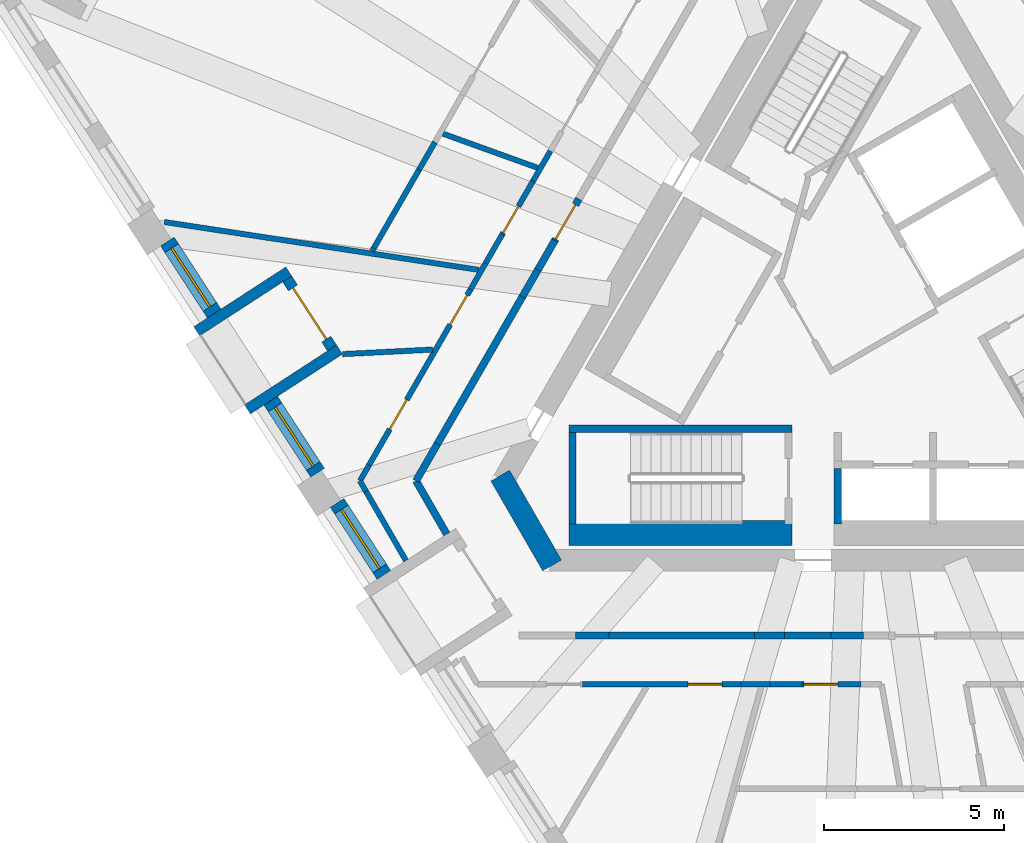
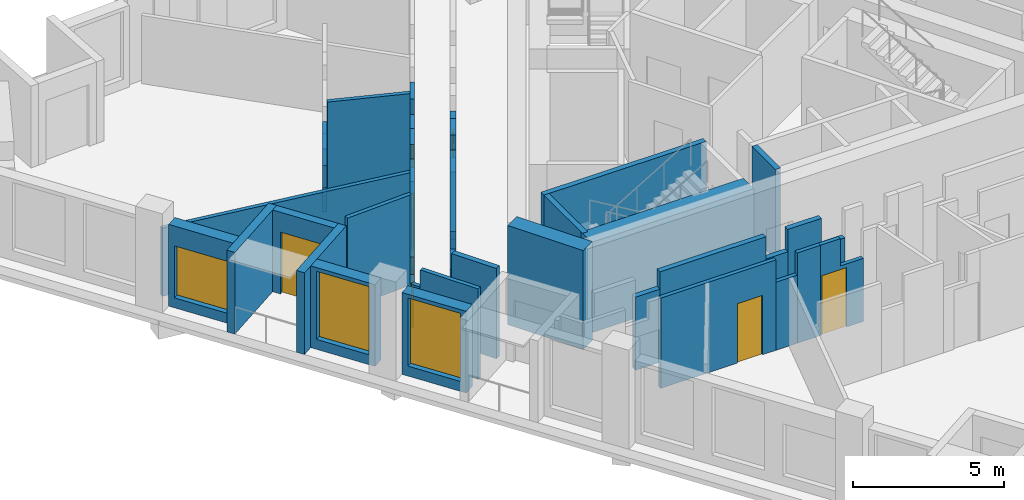
# One storey, part 3 of 12: 40 walls, 7 doors, 3 windows, 10 openings.
"""IFC4 building model written with IfcOpenShell, lengths in metres."""

from ifc_helpers import new_model, si_unit, direction, frame, frame_2d, origin, place, context, subcontext, project, spatial, polyline, rectangle, outline, extrude, material, layer, layer_set, type_object, element, fill, save


model = new_model("IFC4")

# Units and contexts
model_context = context("Model", 3, precision=1e-05, world=origin(), true_north=direction((0.0, 1.0)))
body_context = subcontext(model_context, "Body", "Model", "MODEL_VIEW")
ifc_project = project(units=[si_unit("LENGTHUNIT", "METRE"), si_unit("AREAUNIT", "SQUARE_METRE"), si_unit("VOLUMEUNIT", "CUBIC_METRE"), si_unit("PLANEANGLEUNIT", "RADIAN"), si_unit("MASSUNIT", "GRAM", prefix="KILO")], contexts=[model_context])

# Site, building, storey
site_placement = place(None, origin())
site = spatial("IfcSite", under=ifc_project, at=site_placement, CompositionType="ELEMENT")
building_placement = place(site_placement, origin())
building = spatial("IfcBuilding", under=site, at=building_placement, Name="Tramontana Tower", CompositionType="ELEMENT")
storey_placement = place(building_placement, frame((0.0, 0.0, 278.39990234375)))
storey = spatial("IfcBuildingStorey", under=building, at=storey_placement, Name="L65", CompositionType="ELEMENT", Elevation=278.39990234375)

# Walls
ifc_material_1 = material(Name="Concrete 70 MPa", Category="concrete")
ifc_layer_1 = layer(ifc_material_1, 0.60009765625)
ifc_layer_set_1 = layer_set([ifc_layer_1], Name="Core wall 600 70 MPa")
wall_type_1 = type_object("IfcWallType", Name="Core wall 600 70 MPa", PredefinedType="SHEAR", material=ifc_layer_set_1)
wall_1_placement = place(storey_placement, frame((-9.98828125, -4.10009765625, 0.0), z_axis=(0.0, 0.0, 1.0), x_axis=(0.499995765644, -0.866027848477, 0.0)))
element("IfcWall", 1, at=wall_1_placement, inside=storey, type_object=wall_type_1, Name="Core wall C2 L65", PredefinedType="SHEAR", context=body_context, shape_type="SweptSolid", body=[
    extrude(rectangle(XDim=2.88671875, YDim=0.60009765625, at=frame_2d((1.443359375, 0.0))), origin(), (0.0, 0.0, 1.0), 4.0),
])
ifc_material_2 = material(Name="Blockwork", Category="masonry")
ifc_layer_2 = layer(ifc_material_2, 0.199951171875)
ifc_layer_set_2 = layer_set([ifc_layer_2], Name="ENTRY WALL 200")
wall_type_2 = type_object("IfcWallType", Name="ENTRY WALL 200", PredefinedType="SOLIDWALL", material=ifc_layer_set_2)
wall_2_placement = place(storey_placement, frame((0.104248046875, -8.550048828125, 0.0), z_axis=(0.0, 0.0, 1.0), x_axis=(-1.0, 0.0, 0.0)))
element("IfcWall", 2, at=wall_2_placement, inside=storey, type_object=wall_type_2, Name="Wall v70-ew1-6", PredefinedType="SOLIDWALL", context=body_context, shape_type="SweptSolid", body=[
    extrude(rectangle(XDim=0.900634765625, YDim=0.199951171875, at=frame_2d((0.4501953125, 0.0))), origin(), (0.0, 0.0, 1.0), 2.550048828125),
])
wall_3_placement = place(storey_placement, frame((-0.79638671875, -8.550048828125, 0.0), z_axis=(0.0, 0.0, 1.0), x_axis=(-1.0, 0.0, 0.0)))
element("IfcWall", 3, at=wall_3_placement, inside=storey, type_object=wall_type_2, Name="Wall v70-ew1-7", PredefinedType="SOLIDWALL", context=body_context, shape_type="SweptSolid", body=[
    extrude(rectangle(XDim=1.2861328125, YDim=0.199951171875, at=frame_2d((0.64306640625, 0.0))), origin(), (0.0, 0.0, 1.0), 3.650146484375),
])
wall_4_placement = place(storey_placement, frame((-2.08251953125, -8.550048828125, 0.0), z_axis=(0.0, 0.0, 1.0), x_axis=(-1.0, 0.0, 0.0)))
element("IfcWall", 4, at=wall_4_placement, inside=storey, type_object=wall_type_2, Name="Wall v70-ew1-8", PredefinedType="SOLIDWALL", context=body_context, shape_type="SweptSolid", body=[
    extrude(rectangle(XDim=0.83349609375, YDim=0.199951171875, at=frame_2d((0.416748046875, 0.0))), origin(), (0.0, 0.0, 1.0), 2.75),
])
wall_5_placement = place(storey_placement, frame((-2.916015625, -8.550048828125, 0.0), z_axis=(0.0, 0.0, 1.0), x_axis=(-1.0, 0.0, 0.0)))
element("IfcWall", 5, at=wall_5_placement, inside=storey, type_object=wall_type_2, Name="Wall v70-ew1-9", PredefinedType="SOLIDWALL", context=body_context, shape_type="SweptSolid", body=[
    extrude(rectangle(XDim=4.052490234375, YDim=0.199951171875, at=frame_2d((2.0263671875, 0.0))), origin(), (0.0, 0.0, 1.0), 3.650146484375),
])
wall_6_placement = place(storey_placement, frame((-6.968505859375, -8.550048828125, 0.0), z_axis=(0.0, 0.0, 1.0), x_axis=(-1.0, 0.0, 0.0)))
element("IfcWall", 6, at=wall_6_placement, inside=storey, type_object=wall_type_2, Name="Wall v70-ew1-10", PredefinedType="SOLIDWALL", context=body_context, shape_type="SweptSolid", body=[
    extrude(rectangle(XDim=0.927490234375, YDim=0.199951171875, at=frame_2d((0.4638671875, 0.0))), origin(), (0.0, 0.0, 1.0), 2.9501953125),
])
wall_7_placement = place(storey_placement, frame((-11.472412109375, -5.729248046875, 0.0), z_axis=(0.0, 0.0, 1.0), x_axis=(-0.499982281718, 0.866035633198, 0.0)))
element("IfcWall", 7, at=wall_7_placement, inside=storey, type_object=wall_type_2, Name="Wall v70-ew2", PredefinedType="SOLIDWALL", context=body_context, shape_type="SweptSolid", body=[
    extrude(rectangle(XDim=1.7080078125, YDim=0.199951171875, at=frame_2d((0.85400390625, 0.0))), origin(), (0.0, 0.0, 1.0), 3.650146484375),
])
wall_8_placement = place(storey_placement, frame((-12.326416015625, -4.25, 0.0), z_axis=(0.0, 0.0, 1.0), x_axis=(0.499983247966, 0.86603507536, 0.0)))
element("IfcWall", 8, at=wall_8_placement, inside=storey, type_object=wall_type_2, Name="Wall v70-ew3-0", PredefinedType="SOLIDWALL", context=body_context, shape_type="SweptSolid", body=[
    extrude(rectangle(XDim=1.1884765625, YDim=0.199951171875, at=frame_2d((0.59423828125, 0.0))), origin(), (0.0, 0.0, 1.0), 2.9501953125),
])
wall_9_placement = place(storey_placement, frame((-11.732177734375, -3.220703125, 0.0), z_axis=(0.0, 0.0, 1.0), x_axis=(0.500007683529, 0.866020967652, 0.0)))
element("IfcWall", 9, at=wall_9_placement, inside=storey, type_object=wall_type_2, Name="Wall v70-ew3-1", PredefinedType="SOLIDWALL", context=body_context, shape_type="SweptSolid", body=[
    extrude(rectangle(XDim=4.71728515625, YDim=0.199951171875, at=frame_2d((2.358642578125, 0.0))), origin(), (0.0, 0.0, 1.0), 3.650146484375),
])
wall_10_placement = place(storey_placement, frame((-9.37353515625, 0.864501953125, 0.0), z_axis=(0.0, 0.0, 1.0), x_axis=(0.500056482814, 0.86599279096, 0.0)))
element("IfcWall", 10, at=wall_10_placement, inside=storey, type_object=wall_type_2, Name="Wall v70-ew3-2", PredefinedType="SOLIDWALL", context=body_context, shape_type="SweptSolid", body=[
    extrude(rectangle(XDim=0.86474609375, YDim=0.199951171875, at=frame_2d((0.432373046875, 0.0))), origin(), (0.0, 0.0, 1.0), 2.75),
])
wall_11_placement = place(storey_placement, frame((-8.941162109375, 1.61328125, 0.0), z_axis=(0.0, 0.0, 1.0), x_axis=(0.499857464265, 0.866107681191, 0.0)))
element("IfcWall", 11, at=wall_11_placement, inside=storey, type_object=wall_type_2, Name="Wall v70-ew3-3", PredefinedType="SOLIDWALL", context=body_context, shape_type="SweptSolid", body=[
    extrude(rectangle(XDim=0.939208984375, YDim=0.199951171875, at=frame_2d((0.4697265625, 0.0))), origin(), (0.0, 0.0, 1.0), 3.650146484375),
])

# Wall, opening, door
wall_12_placement = place(storey_placement, frame((-8.4716796875, 2.4267578125, 0.0), z_axis=(0.0, 0.0, 1.0), x_axis=(0.500022371132, 0.86601248742, 0.0)))
wall_12 = element("IfcWall", 12, at=wall_12_placement, inside=storey, type_object=wall_type_2, Name="Wall v70-ew3-4", PredefinedType="SOLIDWALL", context=body_context, shape_type="SweptSolid", body=[
    extrude(outline(polyline([(0.0, 0.0), (1.3388671875, 0.0), (1.3388671875, 2.550048828125), (0.429443359375, 2.550048828125), (0.429443359375, 3.650146484375), (0.0, 3.650146484375), (0.0, 0.0)])), frame((0.0, 0.10009765625, 0.0), z_axis=(0.0, -1.0, 0.0), x_axis=(1.0, 0.0, 0.0)), (0.0, 0.0, 1.0), 0.199951171875),
])
opening_1_placement = place(wall_12_placement, frame((0.050048828125, 0.0, 0.0)))
opening_1 = element("IfcOpeningElement", 13, at=opening_1_placement, cuts=wall_12, Name="Opening B7A-21", PredefinedType="OPENING", context=body_context, shape_type="SweptSolid", body=[
    extrude(rectangle(XDim=1.10009765625, YDim=2.39990234375, at=frame_2d((0.550048828125, 1.199951171875))), frame((0.0, 0.10986328125, 0.0), z_axis=(0.0, -1.0, 0.0), x_axis=(1.0, 0.0, 0.0)), (0.0, 0.0, 1.0), 0.219970703125),
])
ifc_material_3 = material(Name="Painted timber", Category="wood")
door_type_1 = type_object("IfcDoorType", Name="DOOR ENTRY 1100", OperationType="SINGLE_SWING_LEFT", PredefinedType="DOOR", material=ifc_material_3)
door_1_placement = place(opening_1_placement, origin())
door_1 = element("IfcDoor", 14, at=door_1_placement, inside=storey, type_object=door_type_1, Name="Door B7A-21", OperationType="SINGLE_SWING_LEFT", OverallHeight=2.39990234375, OverallWidth=1.10009765625, PredefinedType="DOOR", context=body_context, shape_type="SweptSolid", body=[
    extrude(rectangle(XDim=1.10009765625, YDim=2.39990234375, at=frame_2d((0.550048828125, 1.199951171875))), frame((0.0, 0.02490234375, 0.0), z_axis=(0.0, -1.0, 0.0), x_axis=(1.0, 0.0, 0.0)), (0.0, 0.0, 1.0), 0.050048828125),
])
fill(opening_1, door_1)

# Wall, opening, window
ifc_material_4 = material(Name="Precast concrete 60 MPa", Category="concrete")
ifc_layer_3 = layer(ifc_material_4, 0.449951171875)
ifc_layer_set_3 = layer_set([ifc_layer_3], Name="Precast concrete 60 MPa, 450 mm")
wall_type_3 = type_object("IfcWallType", Name="EW1 Stone-faced precast wall 450", PredefinedType="SOLIDWALL", material=ifc_layer_set_3)
wall_13_placement = place(storey_placement, frame((-19.236083984375, 2.401123046875, 0.0), z_axis=(0.0, 0.0, 1.0), x_axis=(0.544675520966, -0.838646872563, 0.0)))
wall_13 = element("IfcWall", 15, at=wall_13_placement, inside=storey, type_object=wall_type_3, Name="External wall L65 face 0 bay 2", PredefinedType="SOLIDWALL", context=body_context, shape_type="SweptSolid", body=[
    extrude(rectangle(XDim=2.38671875, YDim=0.449951171875, at=frame_2d((1.193359375, 0.0))), origin(), (0.0, 0.0, 1.0), 3.300048828125),
])
opening_2_placement = place(wall_13_placement, frame((0.21826171875, 0.0, 0.39990234375)))
opening_2 = element("IfcOpeningElement", 16, at=opening_2_placement, cuts=wall_13, Name="Opening M3L", PredefinedType="OPENING", context=body_context, shape_type="SweptSolid", body=[
    extrude(rectangle(XDim=1.949951171875, YDim=2.10009765625, at=frame_2d((0.97509765625, 1.050048828125))), frame((0.0, 0.23486328125, 0.0), z_axis=(0.0, -1.0, 0.0), x_axis=(1.0, 0.0, 0.0)), (0.0, 0.0, 1.0), 0.469970703125),
])
ifc_material_5 = material(Name="Aluminum frame, double glazing unit", Category="aluminium")
window_type_1 = type_object("IfcWindowType", Name="M3L Window 1.95 x 2.1", PartitioningType="SINGLE_PANEL", PredefinedType="WINDOW", material=ifc_material_5)
window_1_placement = place(opening_2_placement, origin())
window_1 = element("IfcWindow", 17, at=window_1_placement, inside=storey, type_object=window_type_1, Name="Window M3L L65 face 0 module 4", OverallHeight=2.10009765625, OverallWidth=1.949951171875, PartitioningType="SINGLE_PANEL", PredefinedType="WINDOW", context=body_context, shape_type="SweptSolid", body=[
    extrude(rectangle(XDim=1.949951171875, YDim=2.10009765625, at=frame_2d((0.97509765625, 1.050048828125))), frame((0.0, 0.030029296875, 0.0), z_axis=(0.0, -1.0, 0.0), x_axis=(1.0, 0.0, 0.0)), (0.0, 0.0, 1.0), 0.06005859375),
])
fill(opening_2, window_1)

wall_14_placement = place(storey_placement, frame((-16.36376953125, -2.021728515625, 0.0), z_axis=(0.0, 0.0, 1.0), x_axis=(0.544603573947, -0.838693595566, 0.0)))
wall_14 = element("IfcWall", 18, at=wall_14_placement, inside=storey, type_object=wall_type_3, Name="External wall L65 face 0 bay 2", PredefinedType="SOLIDWALL", context=body_context, shape_type="SweptSolid", body=[
    extrude(rectangle(XDim=2.38671875, YDim=0.449951171875, at=frame_2d((1.193359375, 0.0))), origin(), (0.0, 0.0, 1.0), 3.300048828125),
])
opening_3_placement = place(wall_14_placement, frame((0.21826171875, 0.0, 0.39990234375)))
opening_3 = element("IfcOpeningElement", 19, at=opening_3_placement, cuts=wall_14, Name="Opening M3", PredefinedType="OPENING", context=body_context, shape_type="SweptSolid", body=[
    extrude(rectangle(XDim=1.949951171875, YDim=2.75, at=frame_2d((0.97509765625, 1.375))), frame((0.0, 0.23486328125, 0.0), z_axis=(0.0, -1.0, 0.0), x_axis=(1.0, 0.0, 0.0)), (0.0, 0.0, 1.0), 0.469970703125),
])
ifc_material_6 = material(Name="Aluminum frame, double glazing unit", Category="aluminium")
window_type_2 = type_object("IfcWindowType", Name="M3 Window 1.95 x 2.75", PartitioningType="SINGLE_PANEL", PredefinedType="WINDOW", material=ifc_material_6)
window_2_placement = place(opening_3_placement, origin())
window_2 = element("IfcWindow", 20, at=window_2_placement, inside=storey, type_object=window_type_2, Name="Window M3 L65 face 0 module 6", OverallHeight=2.75, OverallWidth=1.949951171875, PartitioningType="SINGLE_PANEL", PredefinedType="WINDOW", context=body_context, shape_type="SweptSolid", body=[
    extrude(rectangle(XDim=1.949951171875, YDim=2.75, at=frame_2d((0.97509765625, 1.375))), frame((0.0, 0.030029296875, 0.0), z_axis=(0.0, -1.0, 0.0), x_axis=(1.0, 0.0, 0.0)), (0.0, 0.0, 1.0), 0.06005859375),
])
fill(opening_3, window_2)

wall_15_placement = place(storey_placement, frame((-14.519287109375, -4.862060546875, 0.0), z_axis=(0.0, 0.0, 1.0), x_axis=(0.544603573947, -0.838693595566, 0.0)))
wall_15 = element("IfcWall", 21, at=wall_15_placement, inside=storey, type_object=wall_type_3, Name="External wall L65 face 0 bay 3", PredefinedType="SOLIDWALL", context=body_context, shape_type="SweptSolid", body=[
    extrude(rectangle(XDim=2.38671875, YDim=0.449951171875, at=frame_2d((1.193359375, 0.0))), origin(), (0.0, 0.0, 1.0), 3.300048828125),
])
opening_4_placement = place(wall_15_placement, frame((0.21826171875, 0.0, 0.39990234375)))
opening_4 = element("IfcOpeningElement", 22, at=opening_4_placement, cuts=wall_15, Name="Opening M3", PredefinedType="OPENING", context=body_context, shape_type="SweptSolid", body=[
    extrude(rectangle(XDim=1.949951171875, YDim=2.75, at=frame_2d((0.97509765625, 1.375))), frame((0.0, 0.23486328125, 0.0), z_axis=(0.0, -1.0, 0.0), x_axis=(1.0, 0.0, 0.0)), (0.0, 0.0, 1.0), 0.469970703125),
])
window_3_placement = place(opening_4_placement, origin())
window_3 = element("IfcWindow", 23, at=window_3_placement, inside=storey, type_object=window_type_2, Name="Window M3 L65 face 0 module 7", OverallHeight=2.75, OverallWidth=1.949951171875, PartitioningType="SINGLE_PANEL", PredefinedType="WINDOW", context=body_context, shape_type="SweptSolid", body=[
    extrude(rectangle(XDim=1.949951171875, YDim=2.75, at=frame_2d((0.97509765625, 1.375))), frame((0.0, 0.030029296875, 0.0), z_axis=(0.0, -1.0, 0.0), x_axis=(1.0, 0.0, 0.0)), (0.0, 0.0, 1.0), 0.06005859375),
])
fill(opening_4, window_3)

# Wall, opening, door
ifc_material_7 = material(Name="Precast concrete 60 MPa", Category="concrete")
ifc_layer_4 = layer(ifc_material_7, 0.300048828125)
ifc_layer_set_4 = layer_set([ifc_layer_4], Name="LW1 Stone-faced loggia wall 300")
wall_type_4 = type_object("IfcWallType", Name="LW1 Stone-faced loggia wall 300", PredefinedType="SOLIDWALL", material=ifc_layer_set_4)
wall_16_placement = place(storey_placement, frame((-15.90673828125, 1.359619140625, 0.0), z_axis=(0.0, 0.0, 1.0), x_axis=(0.544658103125, -0.838658184662, 0.0)))
wall_16 = element("IfcWall", 24, at=wall_16_placement, inside=storey, type_object=wall_type_4, Name="Loggia wall L65 G7S0.4", PredefinedType="SOLIDWALL", context=body_context, shape_type="SweptSolid", body=[
    extrude(rectangle(XDim=2.286865234375, YDim=0.300048828125, at=frame_2d((1.1435546875, 0.0))), origin(), (0.0, 0.0, 1.0), 3.300048828125),
])
opening_5_placement = place(wall_16_placement, frame((0.29345703125, 0.0, 0.0)))
opening_5 = element("IfcOpeningElement", 25, at=opening_5_placement, cuts=wall_16, Name="Opening BD-7S0-04", PredefinedType="OPENING", context=body_context, shape_type="SweptSolid", body=[
    extrude(rectangle(XDim=1.699951171875, YDim=2.5, at=frame_2d((0.85009765625, 1.25))), frame((0.0, 0.159912109375, 0.0), z_axis=(0.0, -1.0, 0.0), x_axis=(1.0, 0.0, 0.0)), (0.0, 0.0, 1.0), 0.320068359375),
])
ifc_material_8 = material(Name="Aluminum frame, double glazing unit", Category="aluminium")
door_type_2 = type_object("IfcDoorType", Name="BD3 Sliding door 1.7 x 2.5", OperationType="SLIDING_TO_LEFT", PredefinedType="DOOR", material=ifc_material_8)
door_2_placement = place(opening_5_placement, origin())
door_2 = element("IfcDoor", 26, at=door_2_placement, inside=storey, type_object=door_type_2, Name="Loggia door L65 G7S0.4", OperationType="SLIDING_TO_LEFT", OverallHeight=2.5, OverallWidth=1.699951171875, PredefinedType="DOOR", context=body_context, shape_type="SweptSolid", body=[
    extrude(rectangle(XDim=1.699951171875, YDim=2.5, at=frame_2d((0.85009765625, 1.25))), frame((0.0, 0.02490234375, 0.0), z_axis=(0.0, -1.0, 0.0), x_axis=(1.0, 0.0, 0.0)), (0.0, 0.0, 1.0), 0.050048828125),
])
fill(opening_5, door_2)

# Walls
for number, where, z_axis, x_axis, name in (
    (27, (-18.42041015625, -0.093994140625, 0.0), (0.0, 0.0, 1.0), (0.838664840319, 0.544647854685, 0.0), "Loggia return L65 G7S0.4a"),
    (28, (-17.01171875, -2.263427734375, 0.0), (0.0, 0.0, 1.0), (0.838664840319, 0.544647854685, 0.0), "Loggia return L65 G7S0.4b"),
):
    element("IfcWall", number, at=place(storey_placement, frame(where, z_axis=z_axis, x_axis=x_axis)), inside=storey, type_object=wall_type_4, Name=name, PredefinedType="SOLIDWALL", context=body_context, shape_type="SweptSolid", body=[
        extrude(rectangle(XDim=3.0498046875, YDim=0.300048828125, at=frame_2d((1.52490234375, 0.0))), origin(), (0.0, 0.0, 1.0), 3.300048828125),
    ])
ifc_material_9 = material(Name="Gypsum board partition")
ifc_layer_5 = layer(ifc_material_9, 0.14990234375)
ifc_layer_set_5 = layer_set([ifc_layer_5], Name="PARTITION 150")
wall_type_5 = type_object("IfcWallType", Name="PARTITION 150", PredefinedType="PARTITIONING", material=ifc_layer_set_5)
wall_17_placement = place(storey_placement, frame((-13.88525390625, -4.25, 0.0), z_axis=(0.0, 0.0, 1.0), x_axis=(0.499904868165, 0.866080321209, 0.0)))
element("IfcWall", 29, at=wall_17_placement, inside=storey, type_object=wall_type_5, Name="Wall v70-pw00-0", PredefinedType="PARTITIONING", context=body_context, shape_type="SweptSolid", body=[
    extrude(rectangle(XDim=0.501953125, YDim=0.14990234375, at=frame_2d((0.2509765625, 0.0))), origin(), (0.0, 0.0, 1.0), 2.9501953125),
])

# Wall, openings, doors
wall_18_placement = place(storey_placement, frame((-13.63427734375, -3.815185546875, 0.0), z_axis=(0.0, 0.0, 1.0), x_axis=(0.500005829693, 0.866022037983, 0.0)))
wall_18 = element("IfcWall", 30, at=wall_18_placement, inside=storey, type_object=wall_type_5, Name="Wall v70-pw00-1", PredefinedType="PARTITIONING", context=body_context, shape_type="SweptSolid", body=[
    extrude(rectangle(XDim=5.64306640625, YDim=0.14990234375, at=frame_2d((2.821533203125, 0.0))), origin(), (0.0, 0.0, 1.0), 3.650146484375),
])
opening_6_placement = place(wall_18_placement, frame((4.509765625, 0.0, 0.0)))
opening_6 = element("IfcOpeningElement", 31, at=opening_6_placement, cuts=wall_18, Name="Opening B7A-05", PredefinedType="OPENING", context=body_context, shape_type="SweptSolid", body=[
    extrude(rectangle(XDim=0.949951171875, YDim=2.39990234375, at=frame_2d((0.47509765625, 1.199951171875))), frame((0.0, 0.0849609375, 0.0), z_axis=(0.0, -1.0, 0.0), x_axis=(1.0, 0.0, 0.0)), (0.0, 0.0, 1.0), 0.169921875),
])
opening_7_placement = place(wall_18_placement, frame((1.15380859375, 0.0, 0.0)))
opening_7 = element("IfcOpeningElement", 32, at=opening_7_placement, cuts=wall_18, Name="Opening B7A-06", PredefinedType="OPENING", context=body_context, shape_type="SweptSolid", body=[
    extrude(rectangle(XDim=0.949951171875, YDim=2.39990234375, at=frame_2d((0.47509765625, 1.199951171875))), frame((0.0, 0.0849609375, 0.0), z_axis=(0.0, -1.0, 0.0), x_axis=(1.0, 0.0, 0.0)), (0.0, 0.0, 1.0), 0.169921875),
])
ifc_material_10 = material(Name="Painted timber", Category="wood")
door_type_3 = type_object("IfcDoorType", Name="DOOR ROOM 950", OperationType="SINGLE_SWING_LEFT", PredefinedType="DOOR", material=ifc_material_10)
door_3_placement = place(opening_6_placement, origin())
door_3 = element("IfcDoor", 33, at=door_3_placement, inside=storey, type_object=door_type_3, Name="Door B7A-05", OperationType="SINGLE_SWING_LEFT", OverallHeight=2.39990234375, OverallWidth=0.949951171875, PredefinedType="DOOR", context=body_context, shape_type="SweptSolid", body=[
    extrude(rectangle(XDim=0.949951171875, YDim=2.39990234375, at=frame_2d((0.47509765625, 1.199951171875))), frame((0.0, 0.02490234375, 0.0), z_axis=(0.0, -1.0, 0.0), x_axis=(1.0, 0.0, 0.0)), (0.0, 0.0, 1.0), 0.050048828125),
])
fill(opening_6, door_3)
door_4_placement = place(opening_7_placement, origin())
door_4 = element("IfcDoor", 34, at=door_4_placement, inside=storey, type_object=door_type_3, Name="Door B7A-06", OperationType="SINGLE_SWING_RIGHT", OverallHeight=2.39990234375, OverallWidth=0.949951171875, PredefinedType="DOOR", context=body_context, shape_type="SweptSolid", body=[
    extrude(rectangle(XDim=0.949951171875, YDim=2.39990234375, at=frame_2d((0.47509765625, 1.199951171875))), frame((0.0, 0.02490234375, 0.0), z_axis=(0.0, -1.0, 0.0), x_axis=(1.0, 0.0, 0.0)), (0.0, 0.0, 1.0), 0.050048828125),
])
fill(opening_7, door_4)

# Walls
wall_19_placement = place(storey_placement, frame((-10.812744140625, 1.07177734375, 0.0), z_axis=(0.0, 0.0, 1.0), x_axis=(0.500025132165, 0.866010893236, 0.0)))
element("IfcWall", 35, at=wall_19_placement, inside=storey, type_object=wall_type_5, Name="Wall v70-pw00-2", PredefinedType="PARTITIONING", context=body_context, shape_type="SweptSolid", body=[
    extrude(rectangle(XDim=0.837890625, YDim=0.14990234375, at=frame_2d((0.4189453125, 0.0))), origin(), (0.0, 0.0, 1.0), 2.75),
])
wall_20_placement = place(storey_placement, frame((-10.393798828125, 1.79736328125, 0.0), z_axis=(0.0, 0.0, 1.0), x_axis=(0.499996383721, 0.866027491634, 0.0)))
element("IfcWall", 36, at=wall_20_placement, inside=storey, type_object=wall_type_5, Name="Wall v70-pw00-3", PredefinedType="PARTITIONING", context=body_context, shape_type="SweptSolid", body=[
    extrude(rectangle(XDim=0.92578125, YDim=0.14990234375, at=frame_2d((0.462890625, 0.0))), origin(), (0.0, 0.0, 1.0), 3.650146484375),
])

# Wall, opening, door
wall_21_placement = place(storey_placement, frame((-9.930908203125, 2.59912109375, 0.0), z_axis=(0.0, 0.0, 1.0), x_axis=(0.500056273262, 0.865992911964, 0.0)))
wall_21 = element("IfcWall", 37, at=wall_21_placement, inside=storey, type_object=wall_type_5, Name="Wall v70-pw00-4", PredefinedType="PARTITIONING", context=body_context, shape_type="SweptSolid", body=[
    extrude(outline(polyline([(0.0, 0.0), (1.709228515625, 0.0), (1.709228515625, 2.550048828125), (0.824951171875, 2.550048828125), (0.824951171875, 3.650146484375), (0.0, 3.650146484375), (0.0, 0.0)])), frame((0.0, 0.074951171875, 0.0), z_axis=(0.0, -1.0, 0.0), x_axis=(1.0, 0.0, 0.0)), (0.0, 0.0, 1.0), 0.14990234375),
])
opening_8_placement = place(wall_21_placement, frame((0.050048828125, 0.0, 0.0)))
opening_8 = element("IfcOpeningElement", 38, at=opening_8_placement, cuts=wall_21, Name="Opening B7A-02", PredefinedType="OPENING", context=body_context, shape_type="SweptSolid", body=[
    extrude(rectangle(XDim=0.85009765625, YDim=2.39990234375, at=frame_2d((0.425048828125, 1.199951171875))), frame((0.0, 0.0849609375, 0.0), z_axis=(0.0, -1.0, 0.0), x_axis=(1.0, 0.0, 0.0)), (0.0, 0.0, 1.0), 0.169921875),
])
ifc_material_11 = material(Name="Painted timber", Category="wood")
door_type_4 = type_object("IfcDoorType", Name="DOOR BATH 850", OperationType="SINGLE_SWING_LEFT", PredefinedType="DOOR", material=ifc_material_11)
door_5_placement = place(opening_8_placement, origin())
door_5 = element("IfcDoor", 39, at=door_5_placement, inside=storey, type_object=door_type_4, Name="Door B7A-02", OperationType="SINGLE_SWING_RIGHT", OverallHeight=2.39990234375, OverallWidth=0.85009765625, PredefinedType="DOOR", context=body_context, shape_type="SweptSolid", body=[
    extrude(rectangle(XDim=0.85009765625, YDim=2.39990234375, at=frame_2d((0.425048828125, 1.199951171875))), frame((0.0, 0.02490234375, 0.0), z_axis=(0.0, -1.0, 0.0), x_axis=(1.0, 0.0, 0.0)), (0.0, 0.0, 1.0), 0.050048828125),
])
fill(opening_8, door_5)

# Walls
wall_22_placement = place(storey_placement, frame((-9.076171875, 4.079345703125, 0.0), z_axis=(0.0, 0.0, 1.0), x_axis=(0.499882561262, 0.866093196455, 0.0)))
element("IfcWall", 40, at=wall_22_placement, inside=storey, type_object=wall_type_5, Name="Wall v70-pw00-5", PredefinedType="PARTITIONING", context=body_context, shape_type="SweptSolid", body=[
    extrude(rectangle(XDim=0.968017578125, YDim=0.14990234375, at=frame_2d((0.48388671875, 0.0))), origin(), (0.0, 0.0, 1.0), 3.650146484375),
])
wall_23_placement = place(storey_placement, frame((-13.545166015625, 2.13916015625, 0.0), z_axis=(0.0, 0.0, 1.0), x_axis=(0.499332966107, 0.866410173624, 0.0)))
element("IfcWall", 41, at=wall_23_placement, inside=storey, type_object=wall_type_5, Name="Wall v70-pw02-0", PredefinedType="PARTITIONING", context=body_context, shape_type="SweptSolid", body=[
    extrude(rectangle(XDim=0.09033203125, YDim=0.14990234375, at=frame_2d((0.045166015625, 0.0))), origin(), (0.0, 0.0, 1.0), 2.75),
])
wall_24_placement = place(storey_placement, frame((-13.5, 2.217529296875, 0.0), z_axis=(0.0, 0.0, 1.0), x_axis=(0.500010832295, 0.866019149666, 0.0)))
element("IfcWall", 42, at=wall_24_placement, inside=storey, type_object=wall_type_5, Name="Wall v70-pw02-1", PredefinedType="PARTITIONING", context=body_context, shape_type="SweptSolid", body=[
    extrude(rectangle(XDim=2.51611328125, YDim=0.14990234375, at=frame_2d((1.258056640625, 0.0))), origin(), (0.0, 0.0, 1.0), 3.650146484375),
])
wall_25_placement = place(storey_placement, frame((-12.241943359375, 4.396484375, 0.0), z_axis=(0.0, 0.0, 1.0), x_axis=(0.500088960417, 0.865974036371, 0.0)))
element("IfcWall", 43, at=wall_25_placement, inside=storey, type_object=wall_type_5, Name="Wall v70-pw02-2", PredefinedType="PARTITIONING", context=body_context, shape_type="SweptSolid", body=[
    extrude(rectangle(XDim=0.884033203125, YDim=0.14990234375, at=frame_2d((0.44189453125, 0.0))), origin(), (0.0, 0.0, 1.0), 2.550048828125),
])
wall_26_placement = place(storey_placement, frame((-12.606201171875, -6.46533203125, 0.0), z_axis=(0.0, 0.0, 1.0), x_axis=(-0.500024353964, 0.86601134256, 0.0)))
element("IfcWall", 44, at=wall_26_placement, inside=storey, type_object=wall_type_5, Name="Wall v70-pw03-0", PredefinedType="PARTITIONING", context=body_context, shape_type="SweptSolid", body=[
    extrude(rectangle(XDim=2.216796875, YDim=0.14990234375, at=frame_2d((1.1083984375, 0.0))), origin(), (0.0, 0.0, 1.0), 3.650146484375),
])
wall_27_placement = place(storey_placement, frame((-13.714599609375, -4.545654296875, 0.0), z_axis=(0.0, 0.0, 1.0), x_axis=(-0.499908181442, 0.866078408764, 0.0)))
element("IfcWall", 45, at=wall_27_placement, inside=storey, type_object=wall_type_5, Name="Wall v70-pw03-1", PredefinedType="PARTITIONING", context=body_context, shape_type="SweptSolid", body=[
    extrude(rectangle(XDim=0.34130859375, YDim=0.14990234375, at=frame_2d((0.170654296875, 0.0))), origin(), (0.0, 0.0, 1.0), 2.9501953125),
])
wall_28_placement = place(storey_placement, frame((-11.865234375, -0.60107421875, 0.0), z_axis=(0.0, 0.0, 1.0), x_axis=(-0.99871519822, -0.050674972563, 0.0)))
element("IfcWall", 46, at=wall_28_placement, inside=storey, type_object=wall_type_5, Name="Wall v70-pw04", PredefinedType="PARTITIONING", context=body_context, shape_type="SweptSolid", body=[
    extrude(rectangle(XDim=2.510009765625, YDim=0.14990234375, at=frame_2d((1.2548828125, 0.0))), origin(), (0.0, 0.0, 1.0), 3.650146484375),
])
wall_29_placement = place(storey_placement, frame((-10.587158203125, 1.61279296875, 0.0), z_axis=(0.0, 0.0, 1.0), x_axis=(-0.988598095377, 0.150578238191, 0.0)))
element("IfcWall", 47, at=wall_29_placement, inside=storey, type_object=wall_type_5, Name="Wall v70-pw07-0", PredefinedType="PARTITIONING", context=body_context, shape_type="SweptSolid", body=[
    extrude(rectangle(XDim=8.833251953125, YDim=0.14990234375, at=frame_2d((4.41650390625, 0.0))), origin(), (0.0, 0.0, 1.0), 2.75),
])
wall_30_placement = place(storey_placement, frame((-8.949462890625, 4.44921875, 0.0), z_axis=(0.0, 0.0, 1.0), x_axis=(-0.940703467008, 0.33922999154, 0.0)))
element("IfcWall", 48, at=wall_30_placement, inside=storey, type_object=wall_type_5, Name="Wall v70-pw08", PredefinedType="PARTITIONING", context=body_context, shape_type="SweptSolid", body=[
    extrude(rectangle(XDim=2.7939453125, YDim=0.14990234375, at=frame_2d((1.39697265625, 0.0))), origin(), (0.0, 0.0, 1.0), 3.650146484375),
])

# Wall, opening, door
wall_31_placement = place(storey_placement, frame((0.037109375, -9.89990234375, 0.0), z_axis=(0.0, 0.0, 1.0), x_axis=(-1.0, 0.0, 0.0)))
wall_31 = element("IfcWall", 49, at=wall_31_placement, inside=storey, type_object=wall_type_5, Name="Wall v70-pw14-1", PredefinedType="PARTITIONING", context=body_context, shape_type="SweptSolid", body=[
    extrude(outline(polyline([(0.0, 0.0), (1.63916015625, 0.0), (1.63916015625, 3.650146484375), (0.875732421875, 3.650146484375), (0.875732421875, 2.550048828125), (0.0, 2.550048828125), (0.0, 0.0)])), frame((0.0, 0.074951171875, 0.0), z_axis=(0.0, -1.0, 0.0), x_axis=(1.0, 0.0, 0.0)), (0.0, 0.0, 1.0), 0.14990234375),
])
opening_9_placement = place(wall_31_placement, frame((0.63916015625, 0.0, 0.0)))
opening_9 = element("IfcOpeningElement", 50, at=opening_9_placement, cuts=wall_31, Name="Opening B7A-07", PredefinedType="OPENING", context=body_context, shape_type="SweptSolid", body=[
    extrude(rectangle(XDim=0.949951171875, YDim=2.39990234375, at=frame_2d((0.47509765625, 1.199951171875))), frame((0.0, 0.0849609375, 0.0), z_axis=(0.0, -1.0, 0.0), x_axis=(1.0, 0.0, 0.0)), (0.0, 0.0, 1.0), 0.169921875),
])
door_6_placement = place(opening_9_placement, origin())
door_6 = element("IfcDoor", 51, at=door_6_placement, inside=storey, type_object=door_type_3, Name="Door B7A-07", OperationType="SINGLE_SWING_LEFT", OverallHeight=2.39990234375, OverallWidth=0.949951171875, PredefinedType="DOOR", context=body_context, shape_type="SweptSolid", body=[
    extrude(rectangle(XDim=0.949951171875, YDim=2.39990234375, at=frame_2d((0.47509765625, 1.199951171875))), frame((0.0, 0.02490234375, 0.0), z_axis=(0.0, -1.0, 0.0), x_axis=(1.0, 0.0, 0.0)), (0.0, 0.0, 1.0), 0.050048828125),
])
fill(opening_9, door_6)

# Walls
wall_32_placement = place(storey_placement, frame((-1.60205078125, -9.89990234375, 0.0), z_axis=(0.0, 0.0, 1.0), x_axis=(-1.0, 0.0, 0.0)))
element("IfcWall", 52, at=wall_32_placement, inside=storey, type_object=wall_type_5, Name="Wall v70-pw14-2", PredefinedType="PARTITIONING", context=body_context, shape_type="SweptSolid", body=[
    extrude(rectangle(XDim=0.88818359375, YDim=0.14990234375, at=frame_2d((0.444091796875, 0.0))), origin(), (0.0, 0.0, 1.0), 3.650146484375),
])
wall_33_placement = place(storey_placement, frame((-2.490234375, -9.89990234375, 0.0), z_axis=(0.0, 0.0, 1.0), x_axis=(-1.0, 0.0, 0.0)))
element("IfcWall", 53, at=wall_33_placement, inside=storey, type_object=wall_type_5, Name="Wall v70-pw14-3", PredefinedType="PARTITIONING", context=body_context, shape_type="SweptSolid", body=[
    extrude(rectangle(XDim=0.807373046875, YDim=0.14990234375, at=frame_2d((0.40380859375, 0.0))), origin(), (0.0, 0.0, 1.0), 2.75),
])

# Wall, opening, door
wall_34_placement = place(storey_placement, frame((-3.297607421875, -9.89990234375, 0.0), z_axis=(0.0, 0.0, 1.0), x_axis=(-1.0, 0.0, 0.0)))
wall_34 = element("IfcWall", 54, at=wall_34_placement, inside=storey, type_object=wall_type_5, Name="Wall v70-pw14-4", PredefinedType="PARTITIONING", context=body_context, shape_type="SweptSolid", body=[
    extrude(rectangle(XDim=4.40625, YDim=0.14990234375, at=frame_2d((2.203125, 0.0))), origin(), (0.0, 0.0, 1.0), 3.650146484375),
])
opening_10_placement = place(wall_34_placement, frame((0.52392578125, 0.0, 0.0)))
opening_10 = element("IfcOpeningElement", 55, at=opening_10_placement, cuts=wall_34, Name="Opening B7A-10", PredefinedType="OPENING", context=body_context, shape_type="SweptSolid", body=[
    extrude(rectangle(XDim=0.949951171875, YDim=2.39990234375, at=frame_2d((0.47509765625, 1.199951171875))), frame((0.0, 0.0849609375, 0.0), z_axis=(0.0, -1.0, 0.0), x_axis=(1.0, 0.0, 0.0)), (0.0, 0.0, 1.0), 0.169921875),
])
door_7_placement = place(opening_10_placement, origin())
door_7 = element("IfcDoor", 56, at=door_7_placement, inside=storey, type_object=door_type_3, Name="Door B7A-10", OperationType="SINGLE_SWING_RIGHT", OverallHeight=2.39990234375, OverallWidth=0.949951171875, PredefinedType="DOOR", context=body_context, shape_type="SweptSolid", body=[
    extrude(rectangle(XDim=0.949951171875, YDim=2.39990234375, at=frame_2d((0.47509765625, 1.199951171875))), frame((0.0, 0.02490234375, 0.0), z_axis=(0.0, -1.0, 0.0), x_axis=(1.0, 0.0, 0.0)), (0.0, 0.0, 1.0), 0.050048828125),
])
fill(opening_10, door_7)

# Walls
ifc_material_12 = material(Name="Concrete 70 MPa", Category="concrete")
ifc_layer_6 = layer(ifc_material_12, 0.699951171875)
ifc_layer_set_6 = layer_set([ifc_layer_6], Name="Concrete 70 MPa, 700 mm")
wall_type_6 = type_object("IfcWallType", Name="RC SHAFT BACK WALL 700", PredefinedType="SOLIDWALL", material=ifc_layer_set_6)
wall_35_placement = place(storey_placement, frame((-8.080078125, -5.699951171875, 0.0), z_axis=(0.0, 0.0, 1.0), x_axis=(1.0, 0.0, 0.0)))
element("IfcWall", 57, at=wall_35_placement, inside=storey, type_object=wall_type_6, Name="Wall st2-back", PredefinedType="SOLIDWALL", context=body_context, shape_type="SweptSolid", body=[
    extrude(rectangle(XDim=6.2001953125, YDim=0.699951171875, at=frame_2d((3.10009765625, 0.0))), origin(), (0.0, 0.0, 1.0), 3.650146484375),
])
ifc_material_13 = material(Name="Concrete 70 MPa", Category="concrete")
ifc_layer_7 = layer(ifc_material_13, 0.199951171875)
ifc_layer_set_7 = layer_set([ifc_layer_7], Name="Concrete 70 MPa, 200 mm")
wall_type_7 = type_object("IfcWallType", Name="RC STAIR AND SHAFT WALL 200", PredefinedType="SOLIDWALL", material=ifc_layer_set_7)
wall_36_placement = place(storey_placement, frame((-8.080078125, -2.800048828125, 0.0), z_axis=(0.0, 0.0, 1.0), x_axis=(1.0, 0.0, 0.0)))
element("IfcWall", 58, at=wall_36_placement, inside=storey, type_object=wall_type_7, Name="Wall st2-front", PredefinedType="SOLIDWALL", context=body_context, shape_type="SweptSolid", body=[
    extrude(rectangle(XDim=6.2001953125, YDim=0.199951171875, at=frame_2d((3.10009765625, 0.0))), origin(), (0.0, 0.0, 1.0), 3.650146484375),
])
wall_37_placement = place(storey_placement, frame((-7.97998046875, -2.89990234375, 0.0), z_axis=(0.0, 0.0, 1.0), x_axis=(0.0, -1.0, 0.0)))
element("IfcWall", 59, at=wall_37_placement, inside=storey, type_object=wall_type_7, Name="Wall st2-far", PredefinedType="SOLIDWALL", context=body_context, shape_type="SweptSolid", body=[
    extrude(rectangle(XDim=2.550048828125, YDim=0.199951171875, at=frame_2d((1.27490234375, 0.0))), origin(), (0.0, 0.0, 1.0), 3.650146484375),
])
wall_38_placement = place(storey_placement, frame((-0.610107421875, -3.89990234375, 0.0), z_axis=(0.0, 0.0, 1.0), x_axis=(0.0, -1.0, 0.0)))
element("IfcWall", 60, at=wall_38_placement, inside=storey, type_object=wall_type_7, Name="Wall row1-side0", PredefinedType="SOLIDWALL", context=body_context, shape_type="SweptSolid", body=[
    extrude(rectangle(XDim=1.550048828125, YDim=0.199951171875, at=frame_2d((0.77490234375, 0.0))), origin(), (0.0, 0.0, 1.0), 3.650146484375),
])

save(model, "model.ifc")
